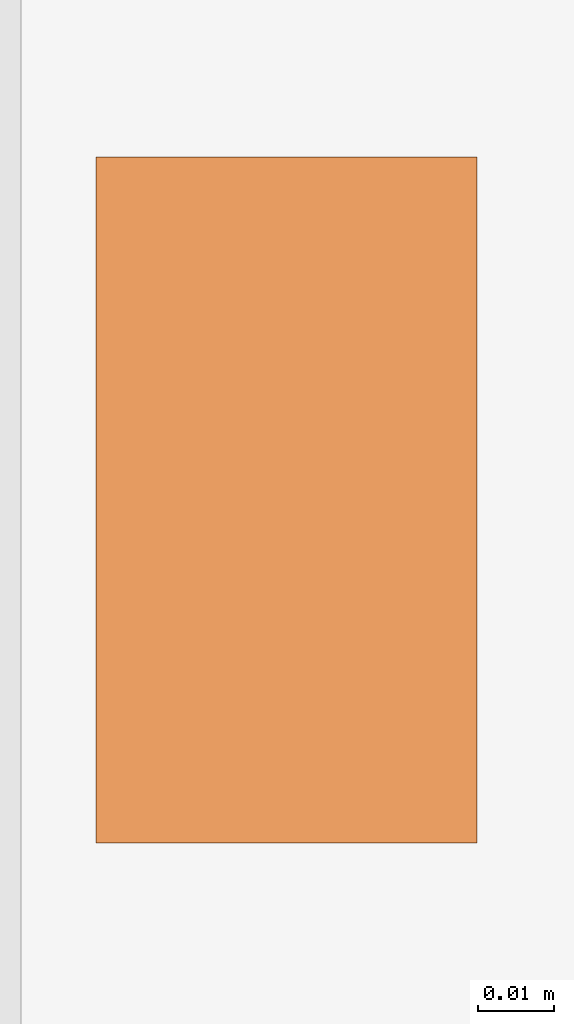
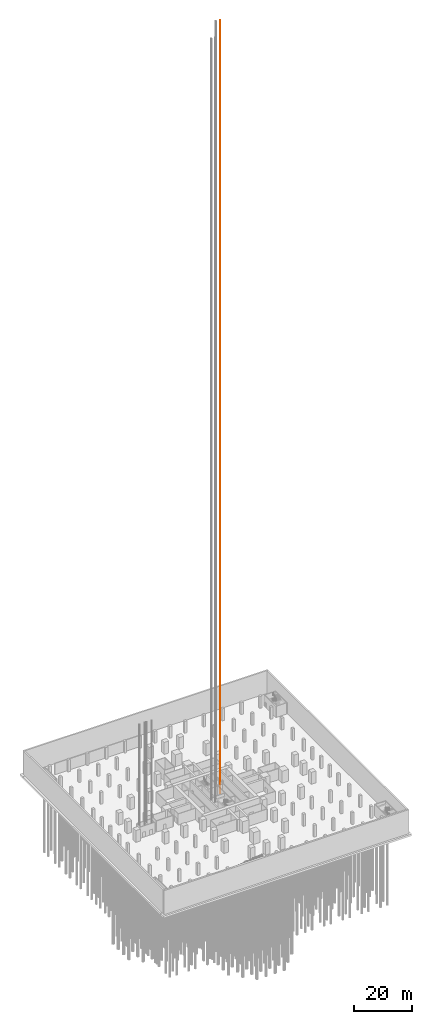
# One storey, part 31 of 31: 1 proxy.
"""IFC4 building model written with IfcOpenShell, lengths in metres."""

from ifc_helpers import new_model, si_unit, direction, frame, origin, origin_2d, place, context, subcontext, project, spatial, rectangle, extrude, material, element, save


model = new_model("IFC4")

# Units and contexts
model_context = context("Model", 3, precision=1e-05, world=origin(), true_north=direction((0.0, 1.0)))
body_context = subcontext(model_context, "Body", "Model", "MODEL_VIEW")
ifc_project = project(units=[si_unit("LENGTHUNIT", "METRE"), si_unit("AREAUNIT", "SQUARE_METRE"), si_unit("VOLUMEUNIT", "CUBIC_METRE"), si_unit("PLANEANGLEUNIT", "RADIAN"), si_unit("MASSUNIT", "GRAM", prefix="KILO")], contexts=[model_context])

# Site, building, storey
site_placement = place(None, origin())
site = spatial("IfcSite", under=ifc_project, at=site_placement, CompositionType="ELEMENT")
building_placement = place(site_placement, origin())
building = spatial("IfcBuilding", under=site, at=building_placement, Name="Mizan Broadcast Tower", CompositionType="ELEMENT")
storey_placement = place(building_placement, frame((0.0, 0.0, -10.0)))
storey = spatial("IfcBuildingStorey", under=building, at=storey_placement, Name="B2", CompositionType="ELEMENT", Elevation=-10.0)

# Proxy
ifc_material = material(Name="Steel guide rail", Category="steel")
proxy_placement = place(storey_placement, frame((4.159912109375, 4.175048828125, 0.0), z_axis=(0.0, 0.0, 1.0), x_axis=(1.0, 0.0, 0.0)))
element("IfcBuildingElementProxy", 1, at=proxy_placement, inside=storey, material=ifc_material, Name="Guide rail FF2-2", PredefinedType="NOTDEFINED", context=body_context, shape_type="SweptSolid", body=[
    extrude(rectangle(XDim=0.050048828125, YDim=0.090087890625, at=origin_2d()), origin(), (0.0, 0.0, 1.0), 326.0),
])

save(model, "model.ifc")
